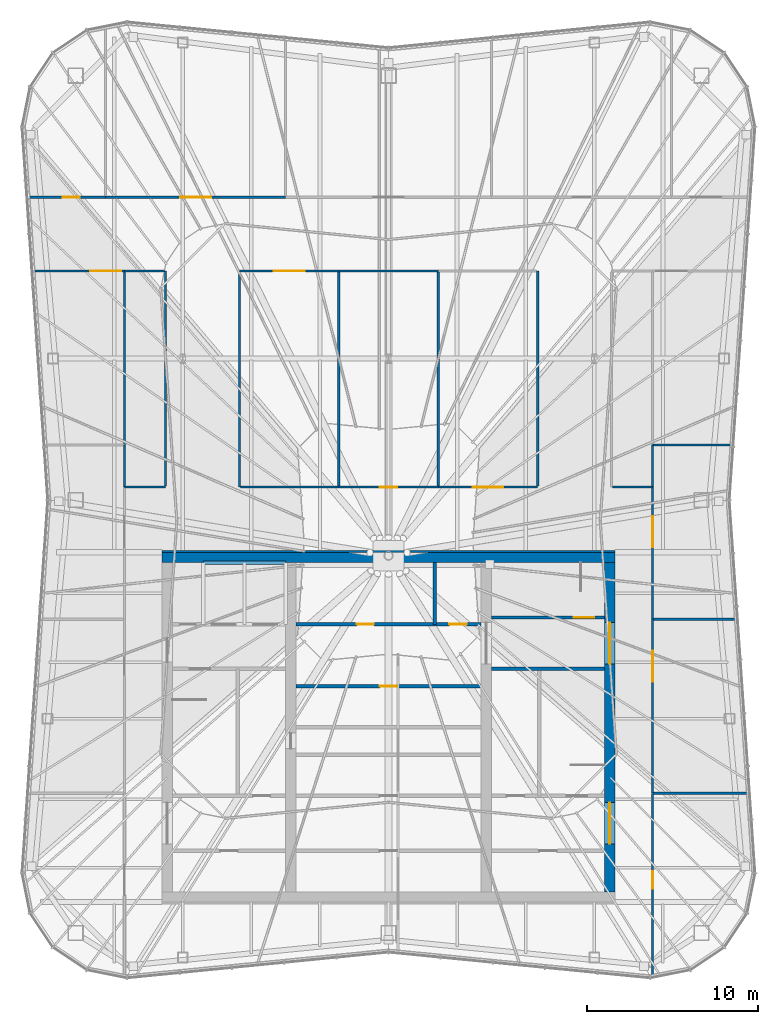
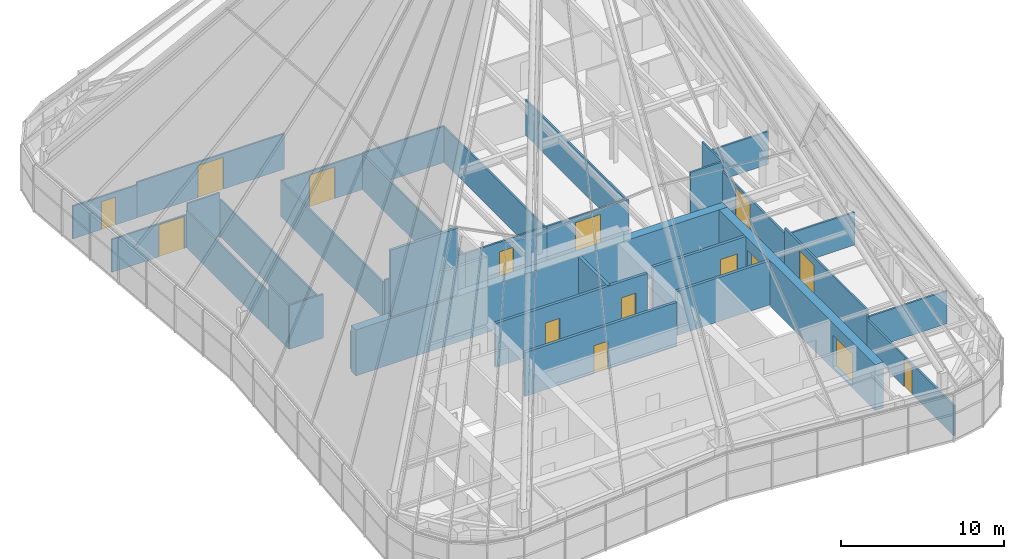
# One storey, part 25 of 28: 34 walls, 15 doors, 15 openings.
"""IFC4 building model written with IfcOpenShell, lengths in metres."""

from ifc_helpers import new_model, si_unit, direction, frame, frame_2d, origin, place, context, subcontext, project, spatial, rectangle, extrude, material, layer, layer_set, type_object, element, fill, save


model = new_model("IFC4")

# Units and contexts
model_context = context("Model", 3, precision=1e-05, world=origin(), true_north=direction((0.0, 1.0)))
body_context = subcontext(model_context, "Body", "Model", "MODEL_VIEW")
ifc_project = project(units=[si_unit("LENGTHUNIT", "METRE"), si_unit("AREAUNIT", "SQUARE_METRE"), si_unit("VOLUMEUNIT", "CUBIC_METRE"), si_unit("PLANEANGLEUNIT", "RADIAN"), si_unit("MASSUNIT", "GRAM", prefix="KILO")], contexts=[model_context])

# Site, building, storey
site_placement = place(None, origin())
site = spatial("IfcSite", under=ifc_project, at=site_placement, CompositionType="ELEMENT")
building_placement = place(site_placement, origin())
building = spatial("IfcBuilding", under=site, at=building_placement, Name="Verdant Reach Tower", CompositionType="ELEMENT")
storey_placement = place(building_placement, frame((0.0, 0.0, 368.0)))
storey = spatial("IfcBuildingStorey", under=building, at=storey_placement, Name="L83 Crown plant", CompositionType="ELEMENT", Elevation=368.0)

# Wall, opening, door
ifc_material_1 = material(Name="Gypsum board on steel studs", Category="steel")
ifc_layer_1 = layer(ifc_material_1, 0.199951171875)
ifc_layer_set_1 = layer_set([ifc_layer_1], Name="CO-WALL-ROOM")
wall_type_1 = type_object("IfcWallType", Name="CO-WALL-ROOM", PredefinedType="PARTITIONING", material=ifc_layer_set_1)
wall_1_placement = place(storey_placement, frame((-5.39990234375, 30.39990234375, 0.0), z_axis=(0.0, 0.0, 1.0), x_axis=(1.0, 0.0, 0.0)))
wall_1 = element("IfcWall", 1, at=wall_1_placement, inside=storey, type_object=wall_type_1, Name="Core partition, L83 Crown plant", PredefinedType="PARTITIONING", context=body_context, shape_type="SweptSolid", body=[
    extrude(rectangle(XDim=10.7998046875, YDim=0.199951171875, at=frame_2d((5.39990234375, 0.0))), origin(), (0.0, 0.0, 1.0), 3.300048828125),
])
opening_1_placement = place(wall_1_placement, frame((4.89990234375, 0.0, 0.0)))
opening_1 = element("IfcOpeningElement", 2, at=opening_1_placement, cuts=wall_1, Name="Opening CD", PredefinedType="OPENING", context=body_context, shape_type="SweptSolid", body=[
    extrude(rectangle(XDim=1.0, YDim=2.10009765625, at=frame_2d((0.5, 1.050048828125))), frame((0.0, 0.10986328125, 0.0), z_axis=(0.0, -1.0, 0.0), x_axis=(1.0, 0.0, 0.0)), (0.0, 0.0, 1.0), 0.219970703125),
])
ifc_material_2 = material(Name="Timber", Category="wood")
door_type_1 = type_object("IfcDoorType", Name="CO-DOOR-ROOM", OperationType="NOTDEFINED", PredefinedType="DOOR", material=ifc_material_2)
door_1_placement = place(opening_1_placement, origin())
door_1 = element("IfcDoor", 3, at=door_1_placement, inside=storey, type_object=door_type_1, Name="Core room door, L83 Crown plant", OperationType="SINGLE_SWING_LEFT", OverallHeight=2.10009765625, OverallWidth=1.0, PredefinedType="DOOR", context=body_context, shape_type="SweptSolid", body=[
    extrude(rectangle(XDim=1.0, YDim=2.10009765625, at=frame_2d((0.5, 1.050048828125))), frame((0.0, 0.02490234375, 0.0), z_axis=(0.0, -1.0, 0.0), x_axis=(1.0, 0.0, 0.0)), (0.0, 0.0, 1.0), 0.050048828125),
])
fill(opening_1, door_1)

# Wall, openings, doors
wall_2_placement = place(storey_placement, frame((-5.39990234375, 34.0, 0.0), z_axis=(0.0, 0.0, 1.0), x_axis=(1.0, 0.0, 0.0)))
wall_2 = element("IfcWall", 4, at=wall_2_placement, inside=storey, type_object=wall_type_1, Name="Core partition, L83 Crown plant", PredefinedType="PARTITIONING", context=body_context, shape_type="SweptSolid", body=[
    extrude(rectangle(XDim=10.7998046875, YDim=0.199951171875, at=frame_2d((5.39990234375, 0.0))), origin(), (0.0, 0.0, 1.0), 3.300048828125),
])
opening_2_placement = place(wall_2_placement, frame((3.550048828125, 0.0, 0.0)))
opening_2 = element("IfcOpeningElement", 5, at=opening_2_placement, cuts=wall_2, Name="Opening CD", PredefinedType="OPENING", context=body_context, shape_type="SweptSolid", body=[
    extrude(rectangle(XDim=1.0, YDim=2.10009765625, at=frame_2d((0.5, 1.050048828125))), frame((0.0, 0.10986328125, 0.0), z_axis=(0.0, -1.0, 0.0), x_axis=(1.0, 0.0, 0.0)), (0.0, 0.0, 1.0), 0.219970703125),
])
opening_3_placement = place(wall_2_placement, frame((8.949951171875, 0.0, 0.0)))
opening_3 = element("IfcOpeningElement", 6, at=opening_3_placement, cuts=wall_2, Name="Opening CD", PredefinedType="OPENING", context=body_context, shape_type="SweptSolid", body=[
    extrude(rectangle(XDim=1.0, YDim=2.10009765625, at=frame_2d((0.5, 1.050048828125))), frame((0.0, 0.10986328125, 0.0), z_axis=(0.0, -1.0, 0.0), x_axis=(1.0, 0.0, 0.0)), (0.0, 0.0, 1.0), 0.219970703125),
])
door_2_placement = place(opening_2_placement, origin())
door_2 = element("IfcDoor", 7, at=door_2_placement, inside=storey, type_object=door_type_1, Name="Core room door, L83 Crown plant", OperationType="SINGLE_SWING_LEFT", OverallHeight=2.10009765625, OverallWidth=1.0, PredefinedType="DOOR", context=body_context, shape_type="SweptSolid", body=[
    extrude(rectangle(XDim=1.0, YDim=2.10009765625, at=frame_2d((0.5, 1.050048828125))), frame((0.0, 0.02490234375, 0.0), z_axis=(0.0, -1.0, 0.0), x_axis=(1.0, 0.0, 0.0)), (0.0, 0.0, 1.0), 0.050048828125),
])
fill(opening_2, door_2)
door_3_placement = place(opening_3_placement, origin())
door_3 = element("IfcDoor", 8, at=door_3_placement, inside=storey, type_object=door_type_1, Name="Core room door, L83 Crown plant", OperationType="SINGLE_SWING_LEFT", OverallHeight=2.10009765625, OverallWidth=1.0, PredefinedType="DOOR", context=body_context, shape_type="SweptSolid", body=[
    extrude(rectangle(XDim=1.0, YDim=2.10009765625, at=frame_2d((0.5, 1.050048828125))), frame((0.0, 0.02490234375, 0.0), z_axis=(0.0, -1.0, 0.0), x_axis=(1.0, 0.0, 0.0)), (0.0, 0.0, 1.0), 0.050048828125),
])
fill(opening_3, door_3)

# Walls
wall_3_placement = place(storey_placement, frame((2.699951171875, 34.0, 0.0), z_axis=(0.0, 0.0, 1.0), x_axis=(0.0, 1.0, 0.0)))
element("IfcWall", 9, at=wall_3_placement, inside=storey, type_object=wall_type_1, Name="Core partition, L83 Crown plant", PredefinedType="PARTITIONING", context=body_context, shape_type="SweptSolid", body=[
    extrude(rectangle(XDim=3.60009765625, YDim=0.199951171875, at=frame_2d((1.800048828125, 0.0))), origin(), (0.0, 0.0, 1.0), 3.300048828125),
])
ifc_material_3 = material(Name="Concrete C40/50", Category="concrete")
ifc_layer_2 = layer(ifc_material_3, 0.199951171875)
ifc_layer_set_2 = layer_set([ifc_layer_2], Name="CO-WALL-SHAFT")
wall_type_2 = type_object("IfcWallType", Name="CO-WALL-SHAFT", PredefinedType="PARTITIONING", material=ifc_layer_set_2)
wall_4_placement = place(storey_placement, frame((-10.800048828125, 37.60009765625, 3.5), z_axis=(0.0, 0.0, 1.0), x_axis=(1.0, 0.0, 0.0)))
element("IfcWall", 10, at=wall_4_placement, inside=storey, type_object=wall_type_2, Name="Firefighting lift overrun wall N", PredefinedType="PARTITIONING", context=body_context, shape_type="SweptSolid", body=[
    extrude(rectangle(XDim=4.800048828125, YDim=0.199951171875, at=frame_2d((2.39990234375, 0.0))), origin(), (0.0, 0.0, 1.0), 5.0),
])
ifc_layer_3 = layer(ifc_material_3, 0.199951171875)
ifc_layer_set_3 = layer_set([ifc_layer_3], Name="CO-WALL-STAIR")
wall_type_3 = type_object("IfcWallType", Name="CO-WALL-STAIR", PredefinedType="PARTITIONING", material=ifc_layer_set_3)
wall_5_placement = place(storey_placement, frame((6.0, 31.39990234375, 0.0), z_axis=(0.0, 0.0, 1.0), x_axis=(1.0, 0.0, 0.0)))
element("IfcWall", 11, at=wall_5_placement, inside=storey, type_object=wall_type_3, Name="Stair enclosure wall, L83 Crown plant", PredefinedType="PARTITIONING", context=body_context, shape_type="SweptSolid", body=[
    extrude(rectangle(XDim=6.60009765625, YDim=0.199951171875, at=frame_2d((3.300048828125, 0.0))), origin(), (0.0, 0.0, 1.0), 3.300048828125),
])

# Wall, opening, door
wall_6_placement = place(storey_placement, frame((6.0, 34.39990234375, 0.0), z_axis=(0.0, 0.0, 1.0), x_axis=(1.0, 0.0, 0.0)))
wall_6 = element("IfcWall", 12, at=wall_6_placement, inside=storey, type_object=wall_type_3, Name="Stair enclosure wall, L83 Crown plant", PredefinedType="PARTITIONING", context=body_context, shape_type="SweptSolid", body=[
    extrude(rectangle(XDim=6.60009765625, YDim=0.199951171875, at=frame_2d((3.300048828125, 0.0))), origin(), (0.0, 0.0, 1.0), 3.300048828125),
])
opening_4_placement = place(wall_6_placement, frame((4.800048828125, 0.0, 0.0)))
opening_4 = element("IfcOpeningElement", 13, at=opening_4_placement, cuts=wall_6, Name="Opening SD", PredefinedType="OPENING", context=body_context, shape_type="SweptSolid", body=[
    extrude(rectangle(XDim=1.199951171875, YDim=2.199951171875, at=frame_2d((0.60009765625, 1.10009765625))), frame((0.0, 0.10986328125, 0.0), z_axis=(0.0, -1.0, 0.0), x_axis=(1.0, 0.0, 0.0)), (0.0, 0.0, 1.0), 0.219970703125),
])
ifc_material_4 = material(Name="Steel", Category="steel")
door_type_2 = type_object("IfcDoorType", Name="CO-DOOR-STAIR", OperationType="NOTDEFINED", PredefinedType="DOOR", material=ifc_material_4)
door_4_placement = place(opening_4_placement, origin())
door_4 = element("IfcDoor", 14, at=door_4_placement, inside=storey, type_object=door_type_2, Name="Stair door, L83 Crown plant", OperationType="SINGLE_SWING_LEFT", OverallHeight=2.199951171875, OverallWidth=1.199951171875, PredefinedType="DOOR", context=body_context, shape_type="SweptSolid", body=[
    extrude(rectangle(XDim=1.199951171875, YDim=2.199951171875, at=frame_2d((0.60009765625, 1.10009765625))), frame((0.0, 0.02490234375, 0.0), z_axis=(0.0, -1.0, 0.0), x_axis=(1.0, 0.0, 0.0)), (0.0, 0.0, 1.0), 0.050048828125),
])
fill(opening_4, door_4)

# Wall
ifc_material_5 = material(Name="Concrete C70/85", Category="concrete")
ifc_layer_4 = layer(ifc_material_5, 0.60009765625)
ifc_layer_set_4 = layer_set([ifc_layer_4], Name="ST-CORE-WALL-600")
wall_type_4 = type_object("IfcWallType", Name="ST-CORE-WALL-600", PredefinedType="SHEAR", material=ifc_layer_set_4)
wall_7_placement = place(storey_placement, frame((-13.199951171875, 37.89990234375, -0.14990234375), z_axis=(0.0, 0.0, 1.0), x_axis=(1.0, 0.0, 0.0)))
element("IfcWall", 15, at=wall_7_placement, inside=storey, type_object=wall_type_4, Name="Core wall N, L83 Crown plant", PredefinedType="SHEAR", context=body_context, shape_type="SweptSolid", body=[
    extrude(rectangle(XDim=26.39990234375, YDim=0.60009765625, at=frame_2d((13.199951171875, 0.0))), origin(), (0.0, 0.0, 1.0), 3.449951171875),
])

# Wall, openings, doors
wall_8_placement = place(storey_placement, frame((12.89990234375, 18.39990234375, -0.14990234375), z_axis=(0.0, 0.0, 1.0), x_axis=(0.0, 1.0, 0.0)))
wall_8 = element("IfcWall", 16, at=wall_8_placement, inside=storey, type_object=wall_type_4, Name="Core wall E, L83 Crown plant", PredefinedType="SHEAR", context=body_context, shape_type="SweptSolid", body=[
    extrude(rectangle(XDim=19.2001953125, YDim=0.60009765625, at=frame_2d((9.60009765625, 0.0))), origin(), (0.0, 0.0, 1.0), 3.449951171875),
])
opening_5_placement = place(wall_8_placement, frame((2.800048828125, 0.0, 0.14990234375)))
opening_5 = element("IfcOpeningElement", 17, at=opening_5_placement, cuts=wall_8, Name="Opening LB", PredefinedType="OPENING", context=body_context, shape_type="SweptSolid", body=[
    extrude(rectangle(XDim=2.39990234375, YDim=2.39990234375, at=frame_2d((1.199951171875, 1.199951171875))), frame((0.0, 0.31005859375, 0.0), z_axis=(0.0, -1.0, 0.0), x_axis=(1.0, 0.0, 0.0)), (0.0, 0.0, 1.0), 0.6201171875),
])
opening_6_placement = place(wall_8_placement, frame((13.300048828125, 0.0, 0.14990234375)))
opening_6 = element("IfcOpeningElement", 18, at=opening_6_placement, cuts=wall_8, Name="Opening LB", PredefinedType="OPENING", context=body_context, shape_type="SweptSolid", body=[
    extrude(rectangle(XDim=2.39990234375, YDim=2.39990234375, at=frame_2d((1.199951171875, 1.199951171875))), frame((0.0, 0.31005859375, 0.0), z_axis=(0.0, -1.0, 0.0), x_axis=(1.0, 0.0, 0.0)), (0.0, 0.0, 1.0), 0.6201171875),
])
ifc_material_6 = material(Name="Glass and steel", Category="steel")
door_type_3 = type_object("IfcDoorType", Name="CO-DOOR-LOBBY", OperationType="DOUBLE_DOOR_SINGLE_SWING", PredefinedType="DOOR", material=ifc_material_6)
door_5_placement = place(opening_5_placement, origin())
door_5 = element("IfcDoor", 19, at=door_5_placement, inside=storey, type_object=door_type_3, Name="Core entrance door, L83 Crown plant", OperationType="DOUBLE_DOOR_SINGLE_SWING", OverallHeight=2.39990234375, OverallWidth=2.39990234375, PredefinedType="DOOR", context=body_context, shape_type="SweptSolid", body=[
    extrude(rectangle(XDim=2.39990234375, YDim=2.39990234375, at=frame_2d((1.199951171875, 1.199951171875))), frame((0.0, 0.02490234375, 0.0), z_axis=(0.0, -1.0, 0.0), x_axis=(1.0, 0.0, 0.0)), (0.0, 0.0, 1.0), 0.050048828125),
])
fill(opening_5, door_5)
door_6_placement = place(opening_6_placement, origin())
door_6 = element("IfcDoor", 20, at=door_6_placement, inside=storey, type_object=door_type_3, Name="Core entrance door, L83 Crown plant", OperationType="DOUBLE_DOOR_SINGLE_SWING", OverallHeight=2.39990234375, OverallWidth=2.39990234375, PredefinedType="DOOR", context=body_context, shape_type="SweptSolid", body=[
    extrude(rectangle(XDim=2.39990234375, YDim=2.39990234375, at=frame_2d((1.199951171875, 1.199951171875))), frame((0.0, 0.02490234375, 0.0), z_axis=(0.0, -1.0, 0.0), x_axis=(1.0, 0.0, 0.0)), (0.0, 0.0, 1.0), 0.050048828125),
])
fill(opening_6, door_6)

# Wall, opening, door
ifc_material_7 = material(Name="Gypsum board on steel studs, fire rated", Category="steel")
ifc_layer_5 = layer(ifc_material_7, 0.125)
ifc_layer_set_5 = layer_set([ifc_layer_5], Name="SV-W2 Plant wall 125 EI 60")
wall_type_5 = type_object("IfcWallType", Name="SV-W2 Plant wall 125 EI 60", PredefinedType="PARTITIONING", material=ifc_layer_set_5)
wall_9_placement = place(storey_placement, frame((-2.89990234375, 54.60009765625, 0.0), z_axis=(0.0, 0.0, 1.0), x_axis=(-1.0, 0.0, 0.0)))
wall_9 = element("IfcWall", 21, at=wall_9_placement, inside=storey, type_object=wall_type_5, Name="Partition L83.01", PredefinedType="PARTITIONING", context=body_context, shape_type="SweptSolid", body=[
    extrude(rectangle(XDim=5.800048828125, YDim=0.125, at=frame_2d((2.89990234375, 0.0))), origin(), (0.0, 0.0, 1.0), 2.669921875),
])
opening_7_placement = place(wall_9_placement, frame((2.0, 0.0, 0.0)))
opening_7 = element("IfcOpeningElement", 22, at=opening_7_placement, cuts=wall_9, Name="Opening SD3", PredefinedType="OPENING", context=body_context, shape_type="SweptSolid", body=[
    extrude(rectangle(XDim=1.800048828125, YDim=2.39990234375, at=frame_2d((0.89990234375, 1.199951171875))), frame((0.0, 0.072509765625, 0.0), z_axis=(0.0, -1.0, 0.0), x_axis=(1.0, 0.0, 0.0)), (0.0, 0.0, 1.0), 0.14501953125),
])
ifc_material_8 = material(Name="Steel door leaves, fire rated", Category="steel")
door_type_4 = type_object("IfcDoorType", Name="SV-D3 Equipment door 1800x2400 FD60", OperationType="DOUBLE_DOOR_SINGLE_SWING", PredefinedType="DOOR", material=ifc_material_8)
door_7_placement = place(opening_7_placement, origin())
door_7 = element("IfcDoor", 23, at=door_7_placement, inside=storey, type_object=door_type_4, Name="Door L83-001", OperationType="DOUBLE_DOOR_SINGLE_SWING", OverallHeight=2.39990234375, OverallWidth=1.800048828125, PredefinedType="DOOR", context=body_context, shape_type="SweptSolid", body=[
    extrude(rectangle(XDim=1.800048828125, YDim=2.39990234375, at=frame_2d((0.89990234375, 1.199951171875))), frame((0.0, 0.02490234375, 0.0), z_axis=(0.0, -1.0, 0.0), x_axis=(1.0, 0.0, 0.0)), (0.0, 0.0, 1.0), 0.050048828125),
])
fill(opening_7, door_7)

# Walls
wall_10_placement = place(storey_placement, frame((-8.699951171875, 54.53759765625, 0.0), z_axis=(0.0, 0.0, 1.0), x_axis=(0.0, -1.0, 0.0)))
element("IfcWall", 24, at=wall_10_placement, inside=storey, type_object=wall_type_5, Name="Partition L83.02", PredefinedType="PARTITIONING", context=body_context, shape_type="SweptSolid", body=[
    extrude(rectangle(XDim=12.53759765625, YDim=0.125, at=frame_2d((6.268798828125, 0.0))), origin(), (0.0, 0.0, 1.0), 2.669921875),
])
wall_11_placement = place(storey_placement, frame((-8.637451171875, 42.0, 0.0), z_axis=(0.0, 0.0, 1.0), x_axis=(1.0, 0.0, 0.0)))
element("IfcWall", 25, at=wall_11_placement, inside=storey, type_object=wall_type_5, Name="Partition L83.03", PredefinedType="PARTITIONING", context=body_context, shape_type="SweptSolid", body=[
    extrude(rectangle(XDim=5.737548828125, YDim=0.125, at=frame_2d((2.86865234375, 0.0))), origin(), (0.0, 0.0, 1.0), 2.820068359375),
])

# Wall, opening, door
wall_12_placement = place(storey_placement, frame((2.89990234375, 42.0, 0.0), z_axis=(0.0, 0.0, 1.0), x_axis=(-1.0, 0.0, 0.0)))
wall_12 = element("IfcWall", 26, at=wall_12_placement, inside=storey, type_object=wall_type_5, Name="Partition L83.04", PredefinedType="PARTITIONING", context=body_context, shape_type="SweptSolid", body=[
    extrude(rectangle(XDim=5.7998046875, YDim=0.125, at=frame_2d((2.89990234375, 0.0))), origin(), (0.0, 0.0, 1.0), 2.820068359375),
])
opening_8_placement = place(wall_12_placement, frame((2.39990234375, 0.0, 0.0)))
opening_8 = element("IfcOpeningElement", 27, at=opening_8_placement, cuts=wall_12, Name="Opening SD4", PredefinedType="OPENING", context=body_context, shape_type="SweptSolid", body=[
    extrude(rectangle(XDim=1.0, YDim=2.10009765625, at=frame_2d((0.5, 1.050048828125))), frame((0.0, 0.072509765625, 0.0), z_axis=(0.0, -1.0, 0.0), x_axis=(1.0, 0.0, 0.0)), (0.0, 0.0, 1.0), 0.14501953125),
])
ifc_material_9 = material(Name="Steel door leaf, fire rated", Category="steel")
door_type_5 = type_object("IfcDoorType", Name="SV-D4 Door 1000x2100 FD120", OperationType="NOTDEFINED", PredefinedType="DOOR", material=ifc_material_9)
door_8_placement = place(opening_8_placement, origin())
door_8 = element("IfcDoor", 28, at=door_8_placement, inside=storey, type_object=door_type_5, Name="Door L83-002", OperationType="SINGLE_SWING_RIGHT", OverallHeight=2.10009765625, OverallWidth=1.0, PredefinedType="DOOR", context=body_context, shape_type="SweptSolid", body=[
    extrude(rectangle(XDim=1.0, YDim=2.10009765625, at=frame_2d((0.5, 1.050048828125))), frame((0.0, 0.02490234375, 0.0), z_axis=(0.0, -1.0, 0.0), x_axis=(1.0, 0.0, 0.0)), (0.0, 0.0, 1.0), 0.050048828125),
])
fill(opening_8, door_8)

# Wall
wall_13_placement = place(storey_placement, frame((2.89990234375, 54.60009765625, 0.0), z_axis=(0.0, 0.0, 1.0), x_axis=(-1.0, 0.0, 0.0)))
element("IfcWall", 29, at=wall_13_placement, inside=storey, type_object=wall_type_5, Name="Partition L83.05", PredefinedType="PARTITIONING", context=body_context, shape_type="SweptSolid", body=[
    extrude(rectangle(XDim=5.7998046875, YDim=0.125, at=frame_2d((2.89990234375, 0.0))), origin(), (0.0, 0.0, 1.0), 2.719970703125),
])

# Wall, opening, door
wall_14_placement = place(storey_placement, frame((8.699951171875, 42.0, 0.0), z_axis=(0.0, 0.0, 1.0), x_axis=(-1.0, 0.0, 0.0)))
wall_14 = element("IfcWall", 30, at=wall_14_placement, inside=storey, type_object=wall_type_5, Name="Partition L83.06", PredefinedType="PARTITIONING", context=body_context, shape_type="SweptSolid", body=[
    extrude(rectangle(XDim=5.800048828125, YDim=0.125, at=frame_2d((2.89990234375, 0.0))), origin(), (0.0, 0.0, 1.0), 2.820068359375),
])
opening_9_placement = place(wall_14_placement, frame((2.0, 0.0, 0.0)))
opening_9 = element("IfcOpeningElement", 31, at=opening_9_placement, cuts=wall_14, Name="Opening SD3", PredefinedType="OPENING", context=body_context, shape_type="SweptSolid", body=[
    extrude(rectangle(XDim=1.800048828125, YDim=2.39990234375, at=frame_2d((0.89990234375, 1.199951171875))), frame((0.0, 0.072509765625, 0.0), z_axis=(0.0, -1.0, 0.0), x_axis=(1.0, 0.0, 0.0)), (0.0, 0.0, 1.0), 0.14501953125),
])
door_9_placement = place(opening_9_placement, origin())
door_9 = element("IfcDoor", 32, at=door_9_placement, inside=storey, type_object=door_type_4, Name="Door L83-003", OperationType="DOUBLE_DOOR_SINGLE_SWING", OverallHeight=2.39990234375, OverallWidth=1.800048828125, PredefinedType="DOOR", context=body_context, shape_type="SweptSolid", body=[
    extrude(rectangle(XDim=1.800048828125, YDim=2.39990234375, at=frame_2d((0.89990234375, 1.199951171875))), frame((0.0, 0.02490234375, 0.0), z_axis=(0.0, -1.0, 0.0), x_axis=(1.0, 0.0, 0.0)), (0.0, 0.0, 1.0), 0.050048828125),
])
fill(opening_9, door_9)

# Wall
wall_15_placement = place(storey_placement, frame((8.699951171875, 42.0625, 0.0), z_axis=(0.0, 0.0, 1.0), x_axis=(0.0, 1.0, 0.0)))
element("IfcWall", 33, at=wall_15_placement, inside=storey, type_object=wall_type_5, Name="Partition L83.07", PredefinedType="PARTITIONING", context=body_context, shape_type="SweptSolid", body=[
    extrude(rectangle(XDim=12.53759765625, YDim=0.125, at=frame_2d((6.268798828125, 0.0))), origin(), (0.0, 0.0, 1.0), 2.669921875),
])

# Wall, opening, door
wall_16_placement = place(storey_placement, frame((-15.39990234375, 54.60009765625, 0.0), z_axis=(0.0, 0.0, 1.0), x_axis=(-1.0, 0.0, 0.0)))
wall_16 = element("IfcWall", 34, at=wall_16_placement, inside=storey, type_object=wall_type_5, Name="Partition L83.12", PredefinedType="PARTITIONING", context=body_context, shape_type="SweptSolid", body=[
    extrude(rectangle(XDim=5.350830078125, YDim=0.125, at=frame_2d((2.67529296875, 0.0))), origin(), (0.0, 0.0, 1.0), 2.469970703125),
])
opening_10_placement = place(wall_16_placement, frame((0.199951171875, 0.0, 0.0)))
opening_10 = element("IfcOpeningElement", 35, at=opening_10_placement, cuts=wall_16, Name="Opening SD3", PredefinedType="OPENING", context=body_context, shape_type="SweptSolid", body=[
    extrude(rectangle(XDim=1.800048828125, YDim=2.39990234375, at=frame_2d((0.89990234375, 1.199951171875))), frame((0.0, 0.072509765625, 0.0), z_axis=(0.0, -1.0, 0.0), x_axis=(1.0, 0.0, 0.0)), (0.0, 0.0, 1.0), 0.14501953125),
])
door_10_placement = place(opening_10_placement, origin())
door_10 = element("IfcDoor", 36, at=door_10_placement, inside=storey, type_object=door_type_4, Name="Door L83-007", OperationType="DOUBLE_DOOR_SINGLE_SWING", OverallHeight=2.39990234375, OverallWidth=1.800048828125, PredefinedType="DOOR", context=body_context, shape_type="SweptSolid", body=[
    extrude(rectangle(XDim=1.800048828125, YDim=2.39990234375, at=frame_2d((0.89990234375, 1.199951171875))), frame((0.0, 0.02490234375, 0.0), z_axis=(0.0, -1.0, 0.0), x_axis=(1.0, 0.0, 0.0)), (0.0, 0.0, 1.0), 0.050048828125),
])
fill(opening_10, door_10)

wall_17_placement = place(storey_placement, frame((15.39990234375, 13.44970703125, 0.0), z_axis=(0.0, 0.0, 1.0), x_axis=(0.0, 1.0, 0.0)))
wall_17 = element("IfcWall", 37, at=wall_17_placement, inside=storey, type_object=wall_type_5, Name="Partition L83.13", PredefinedType="PARTITIONING", context=body_context, shape_type="SweptSolid", body=[
    extrude(rectangle(XDim=10.7001953125, YDim=0.125, at=frame_2d((5.35009765625, 0.0))), origin(), (0.0, 0.0, 1.0), 2.261962890625),
])
opening_11_placement = place(wall_17_placement, frame((5.13916015625, 0.0, 0.0)))
opening_11 = element("IfcOpeningElement", 38, at=opening_11_placement, cuts=wall_17, Name="Opening SD4", PredefinedType="OPENING", context=body_context, shape_type="SweptSolid", body=[
    extrude(rectangle(XDim=1.0, YDim=2.10009765625, at=frame_2d((0.5, 1.050048828125))), frame((0.0, 0.072509765625, 0.0), z_axis=(0.0, -1.0, 0.0), x_axis=(1.0, 0.0, 0.0)), (0.0, 0.0, 1.0), 0.14501953125),
])
door_11_placement = place(opening_11_placement, origin())
door_11 = element("IfcDoor", 39, at=door_11_placement, inside=storey, type_object=door_type_5, Name="Door L83-008", OperationType="SINGLE_SWING_RIGHT", OverallHeight=2.10009765625, OverallWidth=1.0, PredefinedType="DOOR", context=body_context, shape_type="SweptSolid", body=[
    extrude(rectangle(XDim=1.0, YDim=2.10009765625, at=frame_2d((0.5, 1.050048828125))), frame((0.0, 0.02490234375, 0.0), z_axis=(0.0, -1.0, 0.0), x_axis=(1.0, 0.0, 0.0)), (0.0, 0.0, 1.0), 0.050048828125),
])
fill(opening_11, door_11)

wall_18_placement = place(storey_placement, frame((15.39990234375, 24.14990234375, 0.0), z_axis=(0.0, 0.0, 1.0), x_axis=(0.0, 1.0, 0.0)))
wall_18 = element("IfcWall", 40, at=wall_18_placement, inside=storey, type_object=wall_type_5, Name="Partition L83.14", PredefinedType="PARTITIONING", context=body_context, shape_type="SweptSolid", body=[
    extrude(rectangle(XDim=10.150146484375, YDim=0.125, at=frame_2d((5.0751953125, 0.0))), origin(), (0.0, 0.0, 1.0), 2.969970703125),
])
opening_12_placement = place(wall_18_placement, frame((6.5, 0.0, 0.0)))
opening_12 = element("IfcOpeningElement", 41, at=opening_12_placement, cuts=wall_18, Name="Opening SD3", PredefinedType="OPENING", context=body_context, shape_type="SweptSolid", body=[
    extrude(rectangle(XDim=1.800048828125, YDim=2.39990234375, at=frame_2d((0.89990234375, 1.199951171875))), frame((0.0, 0.072509765625, 0.0), z_axis=(0.0, -1.0, 0.0), x_axis=(1.0, 0.0, 0.0)), (0.0, 0.0, 1.0), 0.14501953125),
])
door_12_placement = place(opening_12_placement, origin())
door_12 = element("IfcDoor", 42, at=door_12_placement, inside=storey, type_object=door_type_4, Name="Door L83-009", OperationType="DOUBLE_DOOR_SINGLE_SWING", OverallHeight=2.39990234375, OverallWidth=1.800048828125, PredefinedType="DOOR", context=body_context, shape_type="SweptSolid", body=[
    extrude(rectangle(XDim=1.800048828125, YDim=2.39990234375, at=frame_2d((0.89990234375, 1.199951171875))), frame((0.0, 0.02490234375, 0.0), z_axis=(0.0, -1.0, 0.0), x_axis=(1.0, 0.0, 0.0)), (0.0, 0.0, 1.0), 0.050048828125),
])
fill(opening_12, door_12)

wall_19_placement = place(storey_placement, frame((15.39990234375, 34.300048828125, 0.0), z_axis=(0.0, 0.0, 1.0), x_axis=(0.0, 1.0, 0.0)))
wall_19 = element("IfcWall", 43, at=wall_19_placement, inside=storey, type_object=wall_type_5, Name="Partition L83.15", PredefinedType="PARTITIONING", context=body_context, shape_type="SweptSolid", body=[
    extrude(rectangle(XDim=7.699951171875, YDim=0.125, at=frame_2d((3.85009765625, 0.0))), origin(), (0.0, 0.0, 1.0), 2.570068359375),
])
opening_13_placement = place(wall_19_placement, frame((4.199951171875, 0.0, 0.0)))
opening_13 = element("IfcOpeningElement", 44, at=opening_13_placement, cuts=wall_19, Name="Opening SD3", PredefinedType="OPENING", context=body_context, shape_type="SweptSolid", body=[
    extrude(rectangle(XDim=1.800048828125, YDim=2.39990234375, at=frame_2d((0.89990234375, 1.199951171875))), frame((0.0, 0.072509765625, 0.0), z_axis=(0.0, -1.0, 0.0), x_axis=(1.0, 0.0, 0.0)), (0.0, 0.0, 1.0), 0.14501953125),
])
door_13_placement = place(opening_13_placement, origin())
door_13 = element("IfcDoor", 45, at=door_13_placement, inside=storey, type_object=door_type_4, Name="Door L83-010", OperationType="DOUBLE_DOOR_SINGLE_SWING", OverallHeight=2.39990234375, OverallWidth=1.800048828125, PredefinedType="DOOR", context=body_context, shape_type="SweptSolid", body=[
    extrude(rectangle(XDim=1.800048828125, YDim=2.39990234375, at=frame_2d((0.89990234375, 1.199951171875))), frame((0.0, 0.02490234375, 0.0), z_axis=(0.0, -1.0, 0.0), x_axis=(1.0, 0.0, 0.0)), (0.0, 0.0, 1.0), 0.050048828125),
])
fill(opening_13, door_13)

wall_20_placement = place(storey_placement, frame((-16.5, 58.89990234375, 0.0), z_axis=(0.0, 0.0, 1.0), x_axis=(-1.0, 0.0, 0.0)))
wall_20 = element("IfcWall", 46, at=wall_20_placement, inside=storey, type_object=wall_type_5, Name="Partition L83.17", PredefinedType="PARTITIONING", context=body_context, shape_type="SweptSolid", body=[
    extrude(rectangle(XDim=4.547119140625, YDim=0.125, at=frame_2d((2.2734375, 0.0))), origin(), (0.0, 0.0, 1.0), 2.469970703125),
])
opening_14_placement = place(wall_20_placement, frame((1.508056640625, 0.0, 0.0)))
opening_14 = element("IfcOpeningElement", 47, at=opening_14_placement, cuts=wall_20, Name="Opening SD4", PredefinedType="OPENING", context=body_context, shape_type="SweptSolid", body=[
    extrude(rectangle(XDim=1.0, YDim=2.10009765625, at=frame_2d((0.5, 1.050048828125))), frame((0.0, 0.072509765625, 0.0), z_axis=(0.0, -1.0, 0.0), x_axis=(1.0, 0.0, 0.0)), (0.0, 0.0, 1.0), 0.14501953125),
])
door_14_placement = place(opening_14_placement, origin())
door_14 = element("IfcDoor", 48, at=door_14_placement, inside=storey, type_object=door_type_5, Name="Door L83-012", OperationType="SINGLE_SWING_LEFT", OverallHeight=2.10009765625, OverallWidth=1.0, PredefinedType="DOOR", context=body_context, shape_type="SweptSolid", body=[
    extrude(rectangle(XDim=1.0, YDim=2.10009765625, at=frame_2d((0.5, 1.050048828125))), frame((0.0, 0.02490234375, 0.0), z_axis=(0.0, -1.0, 0.0), x_axis=(1.0, 0.0, 0.0)), (0.0, 0.0, 1.0), 0.050048828125),
])
fill(opening_14, door_14)

wall_21_placement = place(storey_placement, frame((-6.0, 58.89990234375, 0.0), z_axis=(0.0, 0.0, 1.0), x_axis=(-1.0, 0.0, 0.0)))
wall_21 = element("IfcWall", 49, at=wall_21_placement, inside=storey, type_object=wall_type_5, Name="Partition L83.18", PredefinedType="PARTITIONING", context=body_context, shape_type="SweptSolid", body=[
    extrude(rectangle(XDim=10.5, YDim=0.125, at=frame_2d((5.25, 0.0))), origin(), (0.0, 0.0, 1.0), 2.669921875),
])
opening_15_placement = place(wall_21_placement, frame((4.35009765625, 0.0, 0.0)))
opening_15 = element("IfcOpeningElement", 50, at=opening_15_placement, cuts=wall_21, Name="Opening SD3", PredefinedType="OPENING", context=body_context, shape_type="SweptSolid", body=[
    extrude(rectangle(XDim=1.800048828125, YDim=2.39990234375, at=frame_2d((0.89990234375, 1.199951171875))), frame((0.0, 0.072509765625, 0.0), z_axis=(0.0, -1.0, 0.0), x_axis=(1.0, 0.0, 0.0)), (0.0, 0.0, 1.0), 0.14501953125),
])
door_15_placement = place(opening_15_placement, origin())
door_15 = element("IfcDoor", 51, at=door_15_placement, inside=storey, type_object=door_type_4, Name="Door L83-013", OperationType="DOUBLE_DOOR_SINGLE_SWING", OverallHeight=2.39990234375, OverallWidth=1.800048828125, PredefinedType="DOOR", context=body_context, shape_type="SweptSolid", body=[
    extrude(rectangle(XDim=1.800048828125, YDim=2.39990234375, at=frame_2d((0.89990234375, 1.199951171875))), frame((0.0, 0.02490234375, 0.0), z_axis=(0.0, -1.0, 0.0), x_axis=(1.0, 0.0, 0.0)), (0.0, 0.0, 1.0), 0.050048828125),
])
fill(opening_15, door_15)

# Walls
for number, where, z_axis, x_axis, name in (
    (52, (-2.89990234375, 54.53759765625, 0.0), (0.0, 0.0, 1.0), (0.0, -1.0, 0.0), "Partition L83.22"),
    (53, (2.89990234375, 54.53759765625, 0.0), (0.0, 0.0, 1.0), (0.0, -1.0, 0.0), "Partition L83.23"),
):
    element("IfcWall", number, at=place(storey_placement, frame(where, z_axis=z_axis, x_axis=x_axis)), inside=storey, type_object=wall_type_5, Name=name, PredefinedType="PARTITIONING", context=body_context, shape_type="SweptSolid", body=[
        extrude(rectangle(XDim=12.47509765625, YDim=0.125, at=frame_2d((6.237548828125, 0.0))), origin(), (0.0, 0.0, 1.0), 2.669921875),
    ])
wall_22_placement = place(storey_placement, frame((15.46240234375, 24.14990234375, 0.0), z_axis=(0.0, 0.0, 1.0), x_axis=(1.0, 0.0, 0.0)))
element("IfcWall", 54, at=wall_22_placement, inside=storey, type_object=wall_type_5, Name="Partition L83.27", PredefinedType="PARTITIONING", context=body_context, shape_type="SweptSolid", body=[
    extrude(rectangle(XDim=5.546875, YDim=0.125, at=frame_2d((2.7734375, 0.0))), origin(), (0.0, 0.0, 1.0), 2.469970703125),
])
wall_23_placement = place(storey_placement, frame((15.46240234375, 34.300048828125, 0.0), z_axis=(0.0, 0.0, 1.0), x_axis=(1.0, 0.0, 0.0)))
element("IfcWall", 55, at=wall_23_placement, inside=storey, type_object=wall_type_5, Name="Partition L83.28", PredefinedType="PARTITIONING", context=body_context, shape_type="SweptSolid", body=[
    extrude(rectangle(XDim=4.846923828125, YDim=0.125, at=frame_2d((2.42333984375, 0.0))), origin(), (0.0, 0.0, 1.0), 2.469970703125),
])
wall_24_placement = place(storey_placement, frame((15.39990234375, 44.449951171875, 0.0), z_axis=(0.0, 0.0, 1.0), x_axis=(1.0, 0.0, 0.0)))
element("IfcWall", 56, at=wall_24_placement, inside=storey, type_object=wall_type_5, Name="Partition L83.29", PredefinedType="PARTITIONING", context=body_context, shape_type="SweptSolid", body=[
    extrude(rectangle(XDim=4.65087890625, YDim=0.125, at=frame_2d((2.325439453125, 0.0))), origin(), (0.0, 0.0, 1.0), 2.469970703125),
])
wall_25_placement = place(storey_placement, frame((-15.39794921875, 42.0, 0.0), z_axis=(0.0, 0.0, 1.0), x_axis=(1.0, 0.0, 0.0)))
element("IfcWall", 57, at=wall_25_placement, inside=storey, type_object=wall_type_5, Name="Partition L83.34", PredefinedType="PARTITIONING", context=body_context, shape_type="SweptSolid", body=[
    extrude(rectangle(XDim=2.39794921875, YDim=0.125, at=frame_2d((1.198974609375, 0.0))), origin(), (0.0, 0.0, 1.0), 3.300048828125),
])
wall_26_placement = place(storey_placement, frame((-13.0, 42.0625, 0.0), z_axis=(0.0, 0.0, 1.0), x_axis=(0.0, 1.0, 0.0)))
element("IfcWall", 58, at=wall_26_placement, inside=storey, type_object=wall_type_5, Name="Partition L83.35", PredefinedType="PARTITIONING", context=body_context, shape_type="SweptSolid", body=[
    extrude(rectangle(XDim=12.53759765625, YDim=0.125, at=frame_2d((6.268798828125, 0.0))), origin(), (0.0, 0.0, 1.0), 2.780029296875),
])
wall_27_placement = place(storey_placement, frame((-13.0625, 54.60009765625, 0.0), z_axis=(0.0, 0.0, 1.0), x_axis=(-1.0, 0.0, 0.0)))
element("IfcWall", 59, at=wall_27_placement, inside=storey, type_object=wall_type_5, Name="Partition L83.36", PredefinedType="PARTITIONING", context=body_context, shape_type="SweptSolid", body=[
    extrude(rectangle(XDim=2.33544921875, YDim=0.125, at=frame_2d((1.167724609375, 0.0))), origin(), (0.0, 0.0, 1.0), 3.300048828125),
])
wall_28_placement = place(storey_placement, frame((13.199951171875, 38.25, 0.0), z_axis=(0.0, 0.0, 1.0), x_axis=(-1.0, 0.0, 0.0)))
element("IfcWall", 60, at=wall_28_placement, inside=storey, type_object=wall_type_5, Name="Partition L83.38", PredefinedType="PARTITIONING", context=body_context, shape_type="SweptSolid", body=[
    extrude(rectangle(XDim=26.39990234375, YDim=0.125, at=frame_2d((13.199951171875, 0.0))), origin(), (0.0, 0.0, 1.0), 2.820068359375),
])
wall_29_placement = place(storey_placement, frame((13.0625, 42.0, 0.0), z_axis=(0.0, 0.0, 1.0), x_axis=(1.0, 0.0, 0.0)))
element("IfcWall", 61, at=wall_29_placement, inside=storey, type_object=wall_type_5, Name="Partition L83.41", PredefinedType="PARTITIONING", context=body_context, shape_type="SweptSolid", body=[
    extrude(rectangle(XDim=2.33544921875, YDim=0.125, at=frame_2d((1.167724609375, 0.0))), origin(), (0.0, 0.0, 1.0), 3.300048828125),
])
wall_30_placement = place(storey_placement, frame((-15.39990234375, 44.447998046875, 0.0), z_axis=(0.0, 0.0, 1.0), x_axis=(0.0, -1.0, 0.0)))
element("IfcWall", 62, at=wall_30_placement, inside=storey, type_object=wall_type_5, Name="Partition L83.42", PredefinedType="PARTITIONING", context=body_context, shape_type="SweptSolid", body=[
    extrude(rectangle(XDim=2.446044921875, YDim=0.125, at=frame_2d((1.22314453125, 0.0))), origin(), (0.0, 0.0, 1.0), 3.300048828125),
])
wall_31_placement = place(storey_placement, frame((-15.39990234375, 54.597900390625, 0.0), z_axis=(0.0, 0.0, 1.0), x_axis=(0.0, -1.0, 0.0)))
element("IfcWall", 63, at=wall_31_placement, inside=storey, type_object=wall_type_5, Name="Partition L83.43", PredefinedType="PARTITIONING", context=body_context, shape_type="SweptSolid", body=[
    extrude(rectangle(XDim=10.14599609375, YDim=0.125, at=frame_2d((5.072998046875, 0.0))), origin(), (0.0, 0.0, 1.0), 2.780029296875),
])
wall_32_placement = place(storey_placement, frame((15.39990234375, 42.001953125, 0.0), z_axis=(0.0, 0.0, 1.0), x_axis=(0.0, 1.0, 0.0)))
element("IfcWall", 64, at=wall_32_placement, inside=storey, type_object=wall_type_5, Name="Partition L83.44", PredefinedType="PARTITIONING", context=body_context, shape_type="SweptSolid", body=[
    extrude(rectangle(XDim=2.446044921875, YDim=0.125, at=frame_2d((1.22314453125, 0.0))), origin(), (0.0, 0.0, 1.0), 3.300048828125),
])

save(model, "model.ifc")
